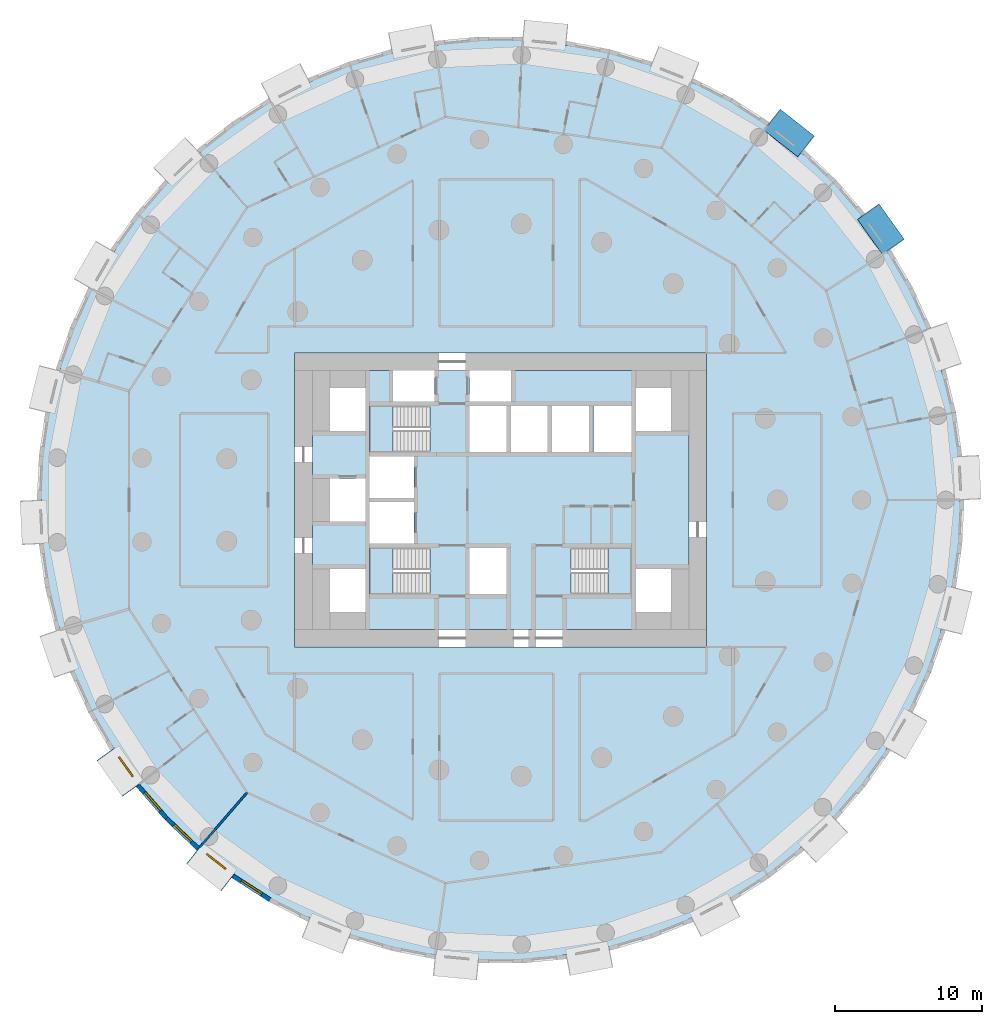
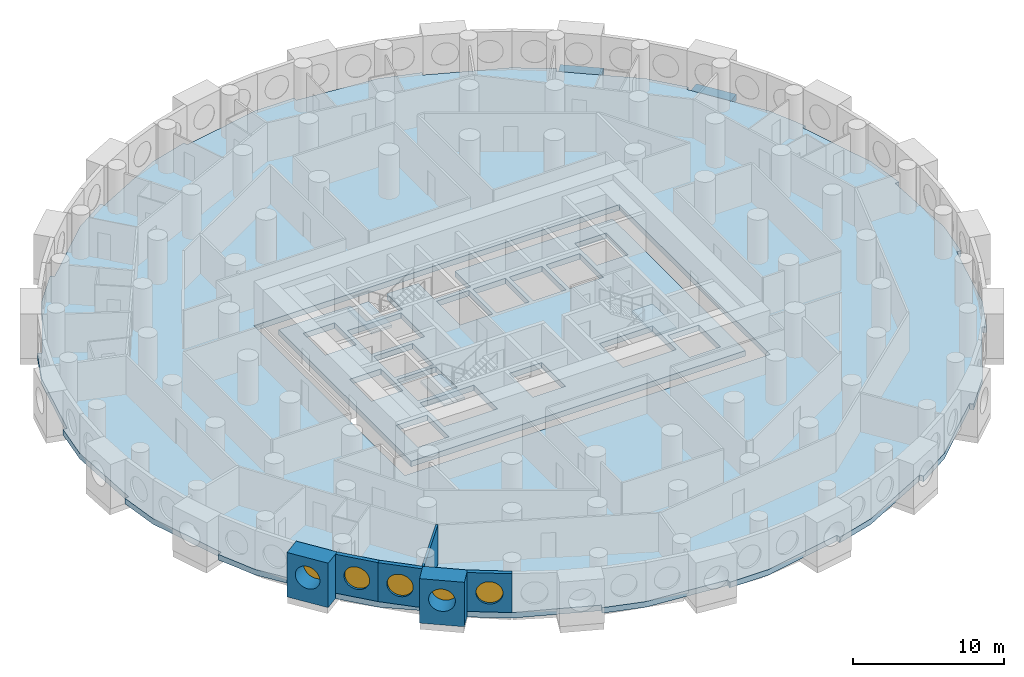
# One storey, part 2 of 12: 6 walls, 5 slabs, 5 windows, 2 beams, 5 openings, 3 elements without a shape of their own.
"""IFC4 building model written with IfcOpenShell, lengths in metres."""

import ifcopenshell
import ifcopenshell.guid

model = None  # the IFC model being written
_history = None  # IfcOwnerHistory: only IFC2X3 demands one
_inside = {}  # id of a spatial element -> (the spatial element, [elements in it])
_under = {}  # id of a project, library or spatial element -> (it, [spatial elements below it])
_declared = {}  # id of a project -> (the project, [libraries it declares])
_typed = {}  # id of a type object -> (the type object, [elements of that type])
_made_of = {}  # id of a material, layer set ... -> (it, [elements and type objects made of it])


def new_model(schema):
    """Start an empty IFC model of exactly this schema.

    Asked for "IFC4X3", IfcOpenShell would pick the latest addendum, in which some entities
    have other attributes; the version numbers below select the first issue.
    IFC2X3 requires an IfcOwnerHistory on every rooted entity: one is made here for all.
    """
    global model, _history
    if schema == "IFC4X3":
        model = ifcopenshell.file(schema_version=(4, 3, 0, 0))
    else:
        model = ifcopenshell.file(schema=schema)
    _inside.clear()
    _under.clear()
    _declared.clear()
    _typed.clear()
    _made_of.clear()
    _history = None
    if model.schema == "IFC2X3":
        org = make("IfcOrganization", Name="unknown")
        user = make(
            "IfcPersonAndOrganization",
            ThePerson=make("IfcPerson", FamilyName="unknown"),
            TheOrganization=org,
        )
        app = make(
            "IfcApplication",
            ApplicationDeveloper=org,
            Version="unknown",
            ApplicationFullName="unknown",
            ApplicationIdentifier="unknown",
        )
        _history = make(
            "IfcOwnerHistory",
            OwningUser=user,
            OwningApplication=app,
            ChangeAction="ADDED",
            CreationDate=0,
        )
    return model


def make(cls, **values):
    """One entity of the class cls with the attributes given. An attribute that is None is left unset."""
    return model.create_entity(
        cls, **{name: value for name, value in values.items() if value is not None}
    )


def rooted(cls, **values):
    """An entity with a GlobalId (a new one), such as an element, a storey or a relation."""
    return make(cls, GlobalId=ifcopenshell.guid.new(), OwnerHistory=_history, **values)


def si_unit(unit_type, name, prefix=None):
    """IfcSIUnit, for example si_unit("LENGTHUNIT", "METRE", prefix="MILLI")."""
    return make("IfcSIUnit", UnitType=unit_type, Prefix=prefix, Name=name)


def assignment(units):
    """IfcUnitAssignment: the units of a project."""
    return None if units is None else make("IfcUnitAssignment", Units=units)


def point(xyz):
    """IfcCartesianPoint."""
    return None if xyz is None else make("IfcCartesianPoint", Coordinates=xyz)


def direction(xyz):
    """IfcDirection."""
    return None if xyz is None else make("IfcDirection", DirectionRatios=xyz)


def frame(location, z_axis=None, x_axis=None):
    """IfcAxis2Placement3D, a coordinate frame: its origin and axes. An axis left out is left unset."""
    return make(
        "IfcAxis2Placement3D",
        Location=point(location),
        Axis=direction(z_axis),
        RefDirection=direction(x_axis),
    )


def frame_2d(location, x_axis=None):
    """IfcAxis2Placement2D, a coordinate frame in the plane: its origin and x axis."""
    return make(
        "IfcAxis2Placement2D", Location=point(location), RefDirection=direction(x_axis)
    )


def origin():
    """The frame at (0, 0, 0) with its axes left unset."""
    return frame((0.0, 0.0, 0.0))


def origin_2d():
    """The frame at (0, 0) in the plane with its x axis left unset."""
    return frame_2d((0.0, 0.0))


def place(relative_to, where):
    """IfcLocalPlacement: puts the frame where relative to a parent placement (None: the world)."""
    return make(
        "IfcLocalPlacement", PlacementRelTo=relative_to, RelativePlacement=where
    )


def context(
    kind, dimensions, precision=None, world=None, true_north=None, identifier=None
):
    """IfcGeometricRepresentationContext, for example the 3D "Model" context."""
    return make(
        "IfcGeometricRepresentationContext",
        ContextIdentifier=identifier,
        ContextType=kind,
        CoordinateSpaceDimension=dimensions,
        Precision=precision,
        WorldCoordinateSystem=world,
        TrueNorth=true_north,
    )


def subcontext(parent, identifier, kind, view, scale=None):
    """IfcGeometricRepresentationSubContext, for example "Body" below "Model"."""
    return make(
        "IfcGeometricRepresentationSubContext",
        ContextIdentifier=identifier,
        ContextType=kind,
        ParentContext=parent,
        TargetScale=scale,
        TargetView=view,
    )


def project(units=None, contexts=None):
    """IfcProject with its units and contexts."""
    return rooted(
        "IfcProject",
        Name="project",
        RepresentationContexts=contexts,
        UnitsInContext=assignment(units),
    )


def spatial(cls, under=None, at=None, **own):
    """A site, building, storey or space (cls), placed at a placement, below another one or the project."""
    s = rooted(cls, ObjectPlacement=at, **own)
    if under is not None:
        _under.setdefault(under.id(), (under, []))[1].append(s)
    return s


def polyline(points):
    """IfcPolyline through the points."""
    return make("IfcPolyline", Points=[point(p) for p in points])


def profile(cls, at=None, kind="AREA", **sizes):
    """A parametric profile (cls). Its sizes go by their IFC names, for example OverallWidth=200.0."""
    return make(cls, ProfileType=kind, Position=at, **sizes)


def rectangle(**sizes):
    """IfcRectangleProfileDef."""
    return profile("IfcRectangleProfileDef", **sizes)


def circle(**sizes):
    """IfcCircleProfileDef."""
    return profile("IfcCircleProfileDef", **sizes)


def outline(outer, holes=None, kind="AREA"):
    """IfcArbitraryClosedProfileDef: a profile drawn as a closed curve; with holes, ...WithVoids."""
    if holes is None:
        return make("IfcArbitraryClosedProfileDef", ProfileType=kind, OuterCurve=outer)
    return make(
        "IfcArbitraryProfileDefWithVoids",
        ProfileType=kind,
        OuterCurve=outer,
        InnerCurves=holes,
    )


def extrude(swept, where, along, depth):
    """IfcExtrudedAreaSolid: the profile swept, set in the frame where, extruded along a direction by depth."""
    return make(
        "IfcExtrudedAreaSolid",
        SweptArea=swept,
        Position=where,
        ExtrudedDirection=direction(along),
        Depth=depth,
    )


def shape(context_of_items, identifier, shape_type, items):
    """IfcShapeRepresentation: the items that make up one representation, for example the "Body"."""
    return make(
        "IfcShapeRepresentation",
        ContextOfItems=context_of_items,
        RepresentationIdentifier=identifier,
        RepresentationType=shape_type,
        Items=items,
    )


def material(Name=None, Category=None):
    """IfcMaterial."""
    return make("IfcMaterial", Name=Name, Category=Category)


def layer(
    of_material, thickness, ventilated=None, Name=None, Category=None, Priority=None
):
    """IfcMaterialLayer: one layer of a wall or slab, of a material (None: an air gap)."""
    return make(
        "IfcMaterialLayer",
        Material=of_material,
        LayerThickness=thickness,
        IsVentilated=ventilated,
        Name=Name,
        Category=Category,
        Priority=Priority,
    )


def layer_set(layers, Name=None):
    """IfcMaterialLayerSet."""
    return make("IfcMaterialLayerSet", MaterialLayers=layers, LayerSetName=Name)


def material_profile(
    of_material, cross_section, Name=None, Category=None, Priority=None
):
    """IfcMaterialProfile: a cross section and its material."""
    return make(
        "IfcMaterialProfile",
        Name=Name,
        Material=of_material,
        Profile=cross_section,
        Priority=Priority,
        Category=Category,
    )


def profile_set(profiles, Name=None, composite=None):
    """IfcMaterialProfileSet."""
    return make(
        "IfcMaterialProfileSet",
        Name=Name,
        MaterialProfiles=profiles,
        CompositeProfile=composite,
    )


def made_of(thing, what):
    """Note that an element or type object is made of a material, layer set ...; save() writes the relation."""
    if what is not None:
        _made_of.setdefault(what.id(), (what, []))[1].append(thing)
    return thing


def type_object(cls, material=None, **own):
    """A type object (cls), such as IfcWallType, which elements share."""
    return made_of(rooted(cls, **own), material)


def element(
    cls,
    number,
    at=None,
    inside=None,
    cuts=None,
    type_object=None,
    material=None,
    context=None,
    identifier="Body",
    shape_type=None,
    held_by="IfcProductDefinitionShape",
    body=None,
    shapes=None,
    **own,
):
    """One element of the class cls, such as IfcWall. Its Tag is "e" and its number.

    at: its placement. inside: the storey or other place that contains it. cuts: it is an
    opening in that element (IfcRelVoidsElement). A single representation is given by context,
    identifier, shape_type and body (its items); several are given by shapes. held_by: the class
    of the entity that holds the representations. save() writes the other relations.
    """
    e = rooted(cls, Tag="e%d" % number, ObjectPlacement=at, **own)
    if body is not None:
        shapes = [shape(context, identifier, shape_type, body)]
    if shapes is not None:
        e.Representation = make(held_by, Representations=shapes)
    if inside is not None:
        _inside.setdefault(inside.id(), (inside, []))[1].append(e)
    if cuts is not None:
        rooted(
            "IfcRelVoidsElement", RelatingBuildingElement=cuts, RelatedOpeningElement=e
        )
    if type_object is not None:
        _typed.setdefault(type_object.id(), (type_object, []))[1].append(e)
    return made_of(e, material)


def fill(opening, filler):
    """IfcRelFillsElement: the door or window that sits in an opening."""
    return rooted(
        "IfcRelFillsElement",
        RelatingOpeningElement=opening,
        RelatedBuildingElement=filler,
    )


def aggregate(whole, parts):
    """IfcRelAggregates: a whole, such as a stair, and the parts it consists of."""
    return rooted("IfcRelAggregates", RelatingObject=whole, RelatedObjects=parts)


def save(model, path):
    """Write the relations noted so far, then the file.

    IfcRelAggregates (storeys below a building ...), IfcRelContainedInSpatialStructure (elements
    in a storey), IfcRelDefinesByType, IfcRelAssociatesMaterial and IfcRelDeclares: one each for
    every whole, place, type object, material and project.
    """
    for whole, parts in _under.values():
        aggregate(whole, parts)
    for where, things in _inside.values():
        rooted(
            "IfcRelContainedInSpatialStructure",
            RelatedElements=things,
            RelatingStructure=where,
        )
    for kind, things in _typed.values():
        rooted("IfcRelDefinesByType", RelatedObjects=things, RelatingType=kind)
    for what, things in _made_of.values():
        rooted("IfcRelAssociatesMaterial", RelatedObjects=things, RelatingMaterial=what)
    for by, libraries in _declared.values():
        rooted("IfcRelDeclares", RelatingContext=by, RelatedDefinitions=libraries)
    model.write(path)


model = new_model("IFC4")

# Units and contexts
model_context = context("Model", 3, precision=1e-05, world=origin(), true_north=direction((0.0, 1.0)))
body_context = subcontext(model_context, "Body", "Model", "MODEL_VIEW")
ifc_project = project(units=[si_unit("LENGTHUNIT", "METRE"), si_unit("AREAUNIT", "SQUARE_METRE"), si_unit("VOLUMEUNIT", "CUBIC_METRE"), si_unit("PLANEANGLEUNIT", "RADIAN"), si_unit("MASSUNIT", "GRAM", prefix="KILO")], contexts=[model_context])

# Site, building, storey
site_placement = place(None, origin())
site = spatial("IfcSite", under=ifc_project, at=site_placement, CompositionType="ELEMENT")
building_placement = place(site_placement, origin())
building = spatial("IfcBuilding", under=site, at=building_placement, Name="Tracery Tower", CompositionType="ELEMENT")
storey_placement = place(building_placement, frame((0.0, 0.0, 82.199951171875)))
storey = spatial("IfcBuildingStorey", under=building, at=storey_placement, Name="L20", CompositionType="ELEMENT", Elevation=82.199951171875)

# Beams
ifc_material_1 = material(Name="Concrete C60/75", Category="concrete")
ifc_material_profile = material_profile(ifc_material_1, rectangle(XDim=1.81005859375, YDim=0.5, at=origin_2d()), Name="RC 1810x500")
ifc_profile_set = profile_set([ifc_material_profile], Name="Concrete C60/75")
beam_type = type_object("IfcBeamType", Name="Bay seat beam 1810 x 500", PredefinedType="BEAM", material=ifc_profile_set)
for number, where, z_axis, x_axis, name in (
    (1, (26.696533203125, 17.21826171875, -0.699951171875), (-0.580098696047, 0.81454619442, 0.0), (-0.81454619442, -0.580098696047, 0.0), "Bay seat beam 7 at L20"),
    (2, (20.76416015625, 24.0419921875, -0.699951171875), (-0.786054237018, 0.618157533696, 0.0), (-0.618157533696, -0.786054237018, 0.0), "Bay seat beam 10 at L20"),
):
    element("IfcBeam", number, at=place(storey_placement, frame(where, z_axis=z_axis, x_axis=x_axis)), inside=storey, type_object=beam_type, Name=name, PredefinedType="BEAM", context=body_context, shape_type="SweptSolid", body=[
        extrude(rectangle(XDim=1.81005859375, YDim=0.5, at=origin_2d()), origin(), (0.0, 0.0, 1.0), 2.919921875),
    ])

# Slabs
ifc_material_2 = material(Name="Concrete C60/75", Category="concrete")
ifc_layer_1 = layer(ifc_material_2, 0.449951171875)
ifc_layer_set_1 = layer_set([ifc_layer_1], Name="Core floor slab 450 C60")
slab_type_1 = type_object("IfcSlabType", Name="Core floor slab 450 C60", PredefinedType="FLOOR", material=ifc_layer_set_1)
slab_1_placement = place(storey_placement, frame((0.0, 0.0, -0.449951171875)))
element("IfcSlab", 3, at=slab_1_placement, inside=storey, type_object=slab_type_1, Name="L20 core floor 1", PredefinedType="FLOOR", context=body_context, shape_type="SweptSolid", body=[
    extrude(outline(polyline([(-12.800048828125, 8.800048828125), (-7.300048828125, 8.800048828125), (-7.300048828125, 6.699951171875), (-4.5, 6.699951171875), (-4.5, 8.800048828125), (-2.10009765625, 8.800048828125), (-2.10009765625, 6.699951171875), (0.699951171875, 6.699951171875), (0.699951171875, 8.800048828125), (12.800048828125, 8.800048828125), (12.800048828125, -8.800048828125), (-12.800048828125, -8.800048828125), (-12.800048828125, 8.800048828125)]), holes=[polyline([(11.60009765625, -7.60009765625), (11.60009765625, -4.699951171875), (9.199951171875, -4.699951171875), (9.199951171875, -7.60009765625), (11.60009765625, -7.60009765625)]), polyline([(11.60009765625, 4.699951171875), (11.60009765625, 7.60009765625), (9.199951171875, 7.60009765625), (9.199951171875, 4.699951171875), (11.60009765625, 4.699951171875)]), polyline([(4.800537109375, -3.25), (4.800537109375, -6.39990234375), (8.89990234375, -6.39990234375), (8.89990234375, -3.25), (4.800537109375, -3.25)]), polyline([(6.300048828125, 3.25), (8.89990234375, 3.25), (8.89990234375, 6.39990234375), (6.300048828125, 6.39990234375), (6.300048828125, 3.25)]), polyline([(3.5, 3.25), (6.0, 3.25), (6.0, 6.39990234375), (3.5, 6.39990234375), (3.5, 3.25)]), polyline([(3.199951171875, 3.25), (3.199951171875, 6.39990234375), (0.699951171875, 6.39990234375), (0.699951171875, 3.25), (3.199951171875, 3.25)]), polyline([(-2.10009765625, 3.25), (0.39990234375, 3.25), (0.39990234375, 6.39990234375), (-2.10009765625, 6.39990234375), (-2.10009765625, 3.25)]), polyline([(0.39990234375, -6.39990234375), (0.39990234375, -3.25), (-2.10009765625, -3.25), (-2.10009765625, -6.39990234375), (0.39990234375, -6.39990234375)]), polyline([(-4.800537109375, -3.25), (-8.89990234375, -3.25), (-8.89990234375, -6.39990234375), (-4.800537109375, -6.39990234375), (-4.800537109375, -3.25)]), polyline([(-4.800537109375, 6.39990234375), (-8.89990234375, 6.39990234375), (-8.89990234375, 3.25), (-4.800537109375, 3.25), (-4.800537109375, 6.39990234375)]), polyline([(-8.89990234375, -2.949951171875), (-5.89990234375, -2.949951171875), (-5.89990234375, -0.14990234375), (-8.89990234375, -0.14990234375), (-8.89990234375, -2.949951171875)]), polyline([(-5.89990234375, 0.14990234375), (-5.89990234375, 2.949951171875), (-8.89990234375, 2.949951171875), (-8.89990234375, 0.14990234375), (-5.89990234375, 0.14990234375)]), polyline([(-11.60009765625, 4.699951171875), (-9.199951171875, 4.699951171875), (-9.199951171875, 7.60009765625), (-11.60009765625, 7.60009765625), (-11.60009765625, 4.699951171875)]), polyline([(-9.199951171875, -7.60009765625), (-9.199951171875, -4.699951171875), (-11.60009765625, -4.699951171875), (-11.60009765625, -7.60009765625), (-9.199951171875, -7.60009765625)]), polyline([(-9.199951171875, -1.449951171875), (-9.199951171875, 1.449951171875), (-11.60009765625, 1.449951171875), (-11.60009765625, -1.449951171875), (-9.199951171875, -1.449951171875)])]), origin(), (0.0, 0.0, 1.0), 0.449951171875),
])
ifc_material_3 = material(Name="Concrete C50/60", Category="concrete")
ifc_layer_2 = layer(ifc_material_3, 0.449951171875)
ifc_layer_set_2 = layer_set([ifc_layer_2], Name="Floor slab 450")
slab_type_2 = type_object("IfcSlabType", Name="Floor slab 450", PredefinedType="FLOOR", material=ifc_layer_set_2)
slab_2_placement = place(storey_placement, frame((0.0, 0.0, -0.449951171875)))
element("IfcSlab", 4, at=slab_2_placement, inside=storey, type_object=slab_type_2, Name="Floor slab L20", PredefinedType="FLOOR", context=body_context, shape_type="SweptSolid", body=[
    extrude(outline(polyline([(29.964111328125, 8.783447265625), (29.964111328125, 8.783447265625), (28.98291015625, 11.618408203125), (29.266357421875, 11.716552734375), (28.020263671875, 14.4453125), (26.27587890625, 16.869384765625), (26.27587890625, 16.869384765625), (26.27001953125, 16.877685546875), (26.267578125, 16.881103515625), (24.81201171875, 18.9248046875), (24.53564453125, 19.313232421875), (24.780029296875, 19.4873046875), (22.8154296875, 21.75439453125), (20.458740234375, 23.5888671875), (20.458740234375, 23.5888671875), (20.4541015625, 23.592529296875), (20.447509765625, 23.59765625), (18.11181640625, 25.4345703125), (18.11181640625, 25.4345703125), (18.1005859375, 25.443359375), (18.2861328125, 25.67919921875), (15.76220703125, 27.301025390625), (12.984375, 28.397216796875), (12.984375, 28.397216796875), (10.19921875, 29.51220703125), (10.310791015625, 29.790771484375), (7.43212890625, 30.635986328125), (4.4580078125, 30.905029296875), (4.4580078125, 30.905029296875), (4.45166015625, 30.90576171875), (4.443603515625, 30.906494140625), (1.859375, 31.1533203125), (1.471435546875, 31.190185546875), (1.5, 31.489013671875), (1.5, 31.489013671875), (-1.5, 31.489013671875), (-4.4296875, 30.9091796875), (-4.4296875, 30.9091796875), (-4.4365234375, 30.90771484375), (-4.443603515625, 30.906494140625), (-7.114501953125, 30.3916015625), (-7.37548828125, 30.34130859375), (-7.43212890625, 30.635986328125), (-10.310791015625, 29.790771484375), (-12.95849609375, 28.4091796875), (-12.958251953125, 28.4091796875), (-13.0693359375, 28.351806640625), (-15.612060546875, 27.041015625), (-15.612060546875, 27.041015625), (-15.624755859375, 27.034423828125), (-15.76220703125, 27.301025390625), (-15.76220703125, 27.301025390625), (-18.2861328125, 25.67919921875), (-20.437255859375, 23.607666015625), (-20.437255859375, 23.607666015625), (-20.441162109375, 23.603759765625), (-20.447509765625, 23.59765625), (-21.854736328125, 22.256103515625), (-22.6083984375, 21.537353515625), (-22.8154296875, 21.75439453125), (-24.780029296875, 19.4873046875), (-26.260498046875, 16.8935546875), (-26.260498046875, 16.8935546875), (-26.265380859375, 16.884765625), (-26.267578125, 16.881103515625), (-27.753173828125, 14.307861328125), (-27.753173828125, 14.307861328125), (-27.760498046875, 14.29541015625), (-28.02001953125, 14.4453125), (-28.020263671875, 14.4453125), (-29.266357421875, 11.716552734375), (-29.956298828125, 8.810791015625), (-29.9560546875, 8.810791015625), (-30.6015625, 6.150390625), (-30.659912109375, 5.9091796875), (-30.659912109375, 5.9091796875), (-30.663330078125, 5.895263671875), (-30.954833984375, 5.966064453125), (-31.3818359375, 2.99658203125), (-31.22509765625, 0.014404296875), (-31.224853515625, 0.014404296875), (-31.082275390625, -2.982421875), (-31.3818359375, -2.99658203125), (-30.954833984375, -5.966064453125), (-29.964111328125, -8.783447265625), (-29.964111328125, -8.783447265625), (-28.98291015625, -11.618408203125), (-29.266357421875, -11.716552734375), (-28.020263671875, -14.4453125), (-26.27587890625, -16.869384765625), (-26.27587890625, -16.869384765625), (-26.27001953125, -16.877685546875), (-26.267578125, -16.881103515625), (-24.81201171875, -18.9248046875), (-24.53564453125, -19.313232421875), (-24.780029296875, -19.4873046875), (-22.8154296875, -21.75439453125), (-20.458740234375, -23.5888671875), (-20.458740234375, -23.5888671875), (-20.4541015625, -23.592529296875), (-20.447509765625, -23.59765625), (-18.11181640625, -25.4345703125), (-18.11181640625, -25.4345703125), (-18.1005859375, -25.443359375), (-18.2861328125, -25.67919921875), (-15.76220703125, -27.301025390625), (-12.984375, -28.397216796875), (-12.984375, -28.397216796875), (-10.19921875, -29.51220703125), (-10.310791015625, -29.790771484375), (-7.43212890625, -30.635986328125), (-4.4580078125, -30.905029296875), (-4.4580078125, -30.905029296875), (-4.45166015625, -30.90576171875), (-4.443603515625, -30.906494140625), (-1.859375, -31.1533203125), (-1.471435546875, -31.190185546875), (-1.5, -31.489013671875), (-1.5, -31.489013671875), (1.5, -31.489013671875), (4.4296875, -30.9091796875), (4.4296875, -30.9091796875), (4.4365234375, -30.90771484375), (4.443603515625, -30.906494140625), (7.114501953125, -30.3916015625), (7.37548828125, -30.34130859375), (7.43212890625, -30.635986328125), (10.310791015625, -29.790771484375), (12.95849609375, -28.4091796875), (12.958251953125, -28.4091796875), (13.0693359375, -28.351806640625), (15.612060546875, -27.041015625), (15.612060546875, -27.041015625), (15.624755859375, -27.034423828125), (15.76220703125, -27.301025390625), (15.76220703125, -27.301025390625), (18.2861328125, -25.67919921875), (20.437255859375, -23.607666015625), (20.437255859375, -23.607666015625), (20.441162109375, -23.603759765625), (20.447509765625, -23.59765625), (21.854736328125, -22.256103515625), (22.6083984375, -21.537353515625), (22.8154296875, -21.75439453125), (24.780029296875, -19.4873046875), (26.260498046875, -16.8935546875), (26.260498046875, -16.8935546875), (26.265380859375, -16.884765625), (26.267578125, -16.881103515625), (27.753173828125, -14.307861328125), (27.753173828125, -14.307861328125), (27.760498046875, -14.29541015625), (28.02001953125, -14.4453125), (28.020263671875, -14.4453125), (29.266357421875, -11.716552734375), (29.956298828125, -8.810791015625), (29.9560546875, -8.810791015625), (30.6015625, -6.150390625), (30.659912109375, -5.9091796875), (30.659912109375, -5.9091796875), (30.663330078125, -5.895263671875), (30.954833984375, -5.966064453125), (31.3818359375, -2.99658203125), (31.22509765625, -0.014404296875), (31.224853515625, -0.014404296875), (31.082275390625, 2.982421875), (31.3818359375, 2.99658203125), (30.954833984375, 5.966064453125), (29.964111328125, 8.783447265625)]), holes=[polyline([(-14.0, -10.0), (14.0, -10.0), (14.0, 10.0), (-14.0, 10.0), (-14.0, -10.0)])]), origin(), (0.0, 0.0, 1.0), 0.449951171875),
])

# Stair, slab
ifc_material_4 = material(Name="Concrete C32/40", Category="concrete")
stair_type = type_object("IfcStairType", Name="Core stair 22 risers", PredefinedType="HALF_TURN_STAIR", material=ifc_material_4)
stair_1_placement = place(storey_placement, origin())
stair_1 = element("IfcStair", 5, at=stair_1_placement, inside=storey, type_object=stair_type, Name="L20 stair ST1", PredefinedType="HALF_TURN_STAIR")
ifc_material_5 = material(Name="Concrete C32/40", Category="concrete")
ifc_layer_3 = layer(ifc_material_5, 0.199951171875)
ifc_layer_set_3 = layer_set([ifc_layer_3], Name="Stair landing slab 200")
slab_type_3 = type_object("IfcSlabType", Name="Stair landing slab 200", PredefinedType="LANDING", material=ifc_layer_set_3)
slab_3_placement = place(storey_placement, frame((0.0, 0.0, 1.60009765625)))
slab_3 = element("IfcSlab", 6, at=slab_3_placement, type_object=slab_type_3, Name="ST1 landing 1", PredefinedType="LANDING", context=body_context, shape_type="SweptSolid", body=[
    extrude(outline(polyline([(-7.29931640625, -3.25), (-8.89990234375, -3.25), (-8.89990234375, -6.39990234375), (-7.29931640625, -6.39990234375), (-7.29931640625, -3.25)])), origin(), (0.0, 0.0, 1.0), 0.199951171875),
])
aggregate(stair_1, [slab_3])

stair_2_placement = place(storey_placement, origin())
stair_2 = element("IfcStair", 7, at=stair_2_placement, inside=storey, type_object=stair_type, Name="L20 stair ST3", PredefinedType="HALF_TURN_STAIR")
slab_4_placement = place(storey_placement, frame((0.0, 0.0, 1.60009765625)))
slab_4 = element("IfcSlab", 8, at=slab_4_placement, type_object=slab_type_3, Name="ST3 landing 1", PredefinedType="LANDING", context=body_context, shape_type="SweptSolid", body=[
    extrude(outline(polyline([(-7.29931640625, 6.39990234375), (-8.89990234375, 6.39990234375), (-8.89990234375, 3.25), (-7.29931640625, 3.25), (-7.29931640625, 6.39990234375)])), origin(), (0.0, 0.0, 1.0), 0.199951171875),
])
aggregate(stair_2, [slab_4])

stair_3_placement = place(storey_placement, origin())
stair_3 = element("IfcStair", 9, at=stair_3_placement, inside=storey, type_object=stair_type, Name="L20 stair ST2", PredefinedType="HALF_TURN_STAIR")
slab_5_placement = place(storey_placement, frame((0.0, 0.0, 1.60009765625)))
slab_5 = element("IfcSlab", 10, at=slab_5_placement, type_object=slab_type_3, Name="ST2 landing 1", PredefinedType="LANDING", context=body_context, shape_type="SweptSolid", body=[
    extrude(outline(polyline([(7.29931640625, -6.39990234375), (8.89990234375, -6.39990234375), (8.89990234375, -3.25), (7.29931640625, -3.25), (7.29931640625, -6.39990234375)])), origin(), (0.0, 0.0, 1.0), 0.199951171875),
])
aggregate(stair_3, [slab_5])

# Wall, opening, window
ifc_material_6 = material(Name="Precast concrete C50/60", Category="concrete")
ifc_layer_4 = layer(ifc_material_6, 1.449951171875)
ifc_layer_set_4 = layer_set([ifc_layer_4], Name="Deep-set bay unit 3000 x 3600, slab edge 450")
wall_type_1 = type_object("IfcWallType", Name="Deep-set bay unit 3000 x 3600, slab edge 450", PredefinedType="ELEMENTEDWALL", material=ifc_layer_set_4)
wall_1_placement = place(storey_placement, frame((-26.866455078125, -17.2900390625, -0.449951171875), z_axis=(0.0, 0.0, 1.0), x_axis=(0.580090570606, -0.814551981088, 0.0)))
wall_1 = element("IfcWall", 11, at=wall_1_placement, inside=storey, type_object=wall_type_1, Name="Deep-set bay unit 40 at L20", PredefinedType="ELEMENTEDWALL", context=body_context, shape_type="SweptSolid", body=[
    extrude(rectangle(XDim=3.0, YDim=1.449951171875, at=frame_2d((1.5, 0.0))), origin(), (0.0, 0.0, 1.0), 3.60009765625),
])
opening_1_placement = place(wall_1_placement, frame((1.5, 0.0, 2.0)))
opening_1 = element("IfcOpeningElement", 12, at=opening_1_placement, cuts=wall_1, Name="Opening WN1", PredefinedType="OPENING", context=body_context, shape_type="SweptSolid", body=[
    extrude(circle(Radius=0.9000244140625, at=origin_2d()), frame((0.0, 0.73486328125, 0.0), z_axis=(0.0, -1.0, 0.0), x_axis=(1.0, 0.0, 0.0)), (0.0, 0.0, 1.0), 1.469970703125),
])
ifc_material_7 = material(Name="Aluminium frame with tinted double glazing", Category="aluminium")
window_type = type_object("IfcWindowType", Name="Round window 1800", PartitioningType="SINGLE_PANEL", PredefinedType="WINDOW", material=ifc_material_7)
window_1_placement = place(opening_1_placement, origin())
window_1 = element("IfcWindow", 13, at=window_1_placement, inside=storey, type_object=window_type, Name="Round window 40 at L20", OverallHeight=1.800048828125, OverallWidth=1.800048828125, PartitioningType="SINGLE_PANEL", PredefinedType="WINDOW", context=body_context, shape_type="SweptSolid", body=[
    extrude(circle(Radius=0.9000244140625, at=origin_2d()), frame((0.0, 0.69482421875, 0.0), z_axis=(0.0, -1.0, 0.0), x_axis=(1.0, 0.0, 0.0)), (0.0, 0.0, 1.0), 0.10009765625),
])
fill(opening_1, window_1)

wall_2_placement = place(storey_placement, frame((-20.906982421875, -24.15869140625, -0.449951171875), z_axis=(0.0, 0.0, 1.0), x_axis=(0.786049992888, -0.618162930529, 0.0)))
wall_2 = element("IfcWall", 14, at=wall_2_placement, inside=storey, type_object=wall_type_1, Name="Deep-set bay unit 43 at L20", PredefinedType="ELEMENTEDWALL", context=body_context, shape_type="SweptSolid", body=[
    extrude(rectangle(XDim=3.0, YDim=1.449951171875, at=frame_2d((1.5, 0.0))), origin(), (0.0, 0.0, 1.0), 3.60009765625),
])
opening_2_placement = place(wall_2_placement, frame((1.5, 0.0, 2.0)))
opening_2 = element("IfcOpeningElement", 15, at=opening_2_placement, cuts=wall_2, Name="Opening WN1", PredefinedType="OPENING", context=body_context, shape_type="SweptSolid", body=[
    extrude(circle(Radius=0.9000244140625, at=origin_2d()), frame((0.0, 0.73486328125, 0.0), z_axis=(0.0, -1.0, 0.0), x_axis=(1.0, 0.0, 0.0)), (0.0, 0.0, 1.0), 1.469970703125),
])
window_2_placement = place(opening_2_placement, origin())
window_2 = element("IfcWindow", 16, at=window_2_placement, inside=storey, type_object=window_type, Name="Round window 43 at L20", OverallHeight=1.800048828125, OverallWidth=1.800048828125, PartitioningType="SINGLE_PANEL", PredefinedType="WINDOW", context=body_context, shape_type="SweptSolid", body=[
    extrude(circle(Radius=0.9000244140625, at=origin_2d()), frame((0.0, 0.69482421875, 0.0), z_axis=(0.0, -1.0, 0.0), x_axis=(1.0, 0.0, 0.0)), (0.0, 0.0, 1.0), 0.10009765625),
])
fill(opening_2, window_2)

ifc_material_8 = material(Name="Precast concrete C50/60", Category="concrete")
ifc_layer_5 = layer(ifc_material_8, 0.300048828125)
ifc_layer_set_5 = layer_set([ifc_layer_5], Name="Facade panel 3000 x 3150")
wall_type_2 = type_object("IfcWallType", Name="Facade panel 3000 x 3150", PredefinedType="SOLIDWALL", material=ifc_layer_set_5)
wall_3_placement = place(storey_placement, frame((-24.657958984375, -19.39892578125, 0.0), z_axis=(0.0, 0.0, 1.0), x_axis=(0.654830712471, -0.755775587066, 0.0)))
wall_3 = element("IfcWall", 17, at=wall_3_placement, inside=storey, type_object=wall_type_2, Name="Facade panel 41 at L20", PredefinedType="SOLIDWALL", context=body_context, shape_type="SweptSolid", body=[
    extrude(rectangle(XDim=2.979736328125, YDim=0.300048828125, at=frame_2d((1.48974609375, 0.0))), origin(), (0.0, 0.0, 1.0), 3.150146484375),
])
opening_3_placement = place(wall_3_placement, frame((1.48974609375, 0.0, 1.5498046875)))
opening_3 = element("IfcOpeningElement", 18, at=opening_3_placement, cuts=wall_3, Name="Opening WN1", PredefinedType="OPENING", context=body_context, shape_type="SweptSolid", body=[
    extrude(circle(Radius=0.9000244140625, at=origin_2d()), frame((0.0, 0.159912109375, 0.0), z_axis=(0.0, -1.0, 0.0), x_axis=(1.0, 0.0, 0.0)), (0.0, 0.0, 1.0), 0.320068359375),
])
window_3_placement = place(opening_3_placement, origin())
window_3 = element("IfcWindow", 19, at=window_3_placement, inside=storey, type_object=window_type, Name="Round window 41 at L20", OverallHeight=1.800048828125, OverallWidth=1.800048828125, PartitioningType="SINGLE_PANEL", PredefinedType="WINDOW", context=body_context, shape_type="SweptSolid", body=[
    extrude(circle(Radius=0.9000244140625, at=origin_2d()), frame((0.0, 0.1201171875, 0.0), z_axis=(0.0, -1.0, 0.0), x_axis=(1.0, 0.0, 0.0)), (0.0, 0.0, 1.0), 0.10009765625),
])
fill(opening_3, window_3)

wall_4_placement = place(storey_placement, frame((-22.706787109375, -21.65087890625, 0.0), z_axis=(0.0, 0.0, 1.0), x_axis=(0.723744206617, -0.690068346896, 0.0)))
wall_4 = element("IfcWall", 20, at=wall_4_placement, inside=storey, type_object=wall_type_2, Name="Facade panel 42 at L20", PredefinedType="SOLIDWALL", context=body_context, shape_type="SweptSolid", body=[
    extrude(rectangle(XDim=2.979736328125, YDim=0.300048828125, at=frame_2d((1.48974609375, 0.0))), origin(), (0.0, 0.0, 1.0), 3.150146484375),
])
opening_4_placement = place(wall_4_placement, frame((1.48974609375, 0.0, 1.5498046875)))
opening_4 = element("IfcOpeningElement", 21, at=opening_4_placement, cuts=wall_4, Name="Opening WN1", PredefinedType="OPENING", context=body_context, shape_type="SweptSolid", body=[
    extrude(circle(Radius=0.9000244140625, at=origin_2d()), frame((0.0, 0.159912109375, 0.0), z_axis=(0.0, -1.0, 0.0), x_axis=(1.0, 0.0, 0.0)), (0.0, 0.0, 1.0), 0.320068359375),
])
window_4_placement = place(opening_4_placement, origin())
window_4 = element("IfcWindow", 22, at=window_4_placement, inside=storey, type_object=window_type, Name="Round window 42 at L20", OverallHeight=1.800048828125, OverallWidth=1.800048828125, PartitioningType="SINGLE_PANEL", PredefinedType="WINDOW", context=body_context, shape_type="SweptSolid", body=[
    extrude(circle(Radius=0.9000244140625, at=origin_2d()), frame((0.0, 0.1201171875, 0.0), z_axis=(0.0, -1.0, 0.0), x_axis=(1.0, 0.0, 0.0)), (0.0, 0.0, 1.0), 0.10009765625),
])
fill(opening_4, window_4)

wall_5_placement = place(storey_placement, frame((-18.19384765625, -25.56005859375, 0.0), z_axis=(0.0, 0.0, 1.0), x_axis=(0.84122372879, -0.540687190639, 0.0)))
wall_5 = element("IfcWall", 23, at=wall_5_placement, inside=storey, type_object=wall_type_2, Name="Facade panel 44 at L20", PredefinedType="SOLIDWALL", context=body_context, shape_type="SweptSolid", body=[
    extrude(rectangle(XDim=2.979736328125, YDim=0.300048828125, at=frame_2d((1.48974609375, 0.0))), origin(), (0.0, 0.0, 1.0), 3.150146484375),
])
opening_5_placement = place(wall_5_placement, frame((1.48974609375, 0.0, 1.5498046875)))
opening_5 = element("IfcOpeningElement", 24, at=opening_5_placement, cuts=wall_5, Name="Opening WN1", PredefinedType="OPENING", context=body_context, shape_type="SweptSolid", body=[
    extrude(circle(Radius=0.9000244140625, at=origin_2d()), frame((0.0, 0.159912109375, 0.0), z_axis=(0.0, -1.0, 0.0), x_axis=(1.0, 0.0, 0.0)), (0.0, 0.0, 1.0), 0.320068359375),
])
window_5_placement = place(opening_5_placement, origin())
window_5 = element("IfcWindow", 25, at=window_5_placement, inside=storey, type_object=window_type, Name="Round window 44 at L20", OverallHeight=1.800048828125, OverallWidth=1.800048828125, PartitioningType="SINGLE_PANEL", PredefinedType="WINDOW", context=body_context, shape_type="SweptSolid", body=[
    extrude(circle(Radius=0.9000244140625, at=origin_2d()), frame((0.0, 0.1201171875, 0.0), z_axis=(0.0, -1.0, 0.0), x_axis=(1.0, 0.0, 0.0)), (0.0, 0.0, 1.0), 0.10009765625),
])
fill(opening_5, window_5)

# Wall
ifc_material_9 = material(Name="Plasterboard on steel studs", Category="steel")
ifc_layer_6 = layer(ifc_material_9, 0.14990234375)
ifc_layer_set_6 = layer_set([ifc_layer_6], Name="Partition 150 acoustic unit wall")
wall_type_3 = type_object("IfcWallType", Name="Partition 150 acoustic unit wall", PredefinedType="PARTITIONING", material=ifc_layer_set_6)
wall_6_placement = place(storey_placement, frame((-20.447998046875, -23.597900390625, 0.0), z_axis=(0.0, 0.0, 1.0), x_axis=(0.654847179409, 0.755761319214, 0.0)))
element("IfcWall", 26, at=wall_6_placement, inside=storey, type_object=wall_type_3, Name="Unit wall RA6-097", PredefinedType="PARTITIONING", context=body_context, shape_type="SweptSolid", body=[
    extrude(rectangle(XDim=4.90625, YDim=0.14990234375, at=frame_2d((2.453125, 0.0))), origin(), (0.0, 0.0, 1.0), 3.150146484375),
])

save(model, "model.ifc")
